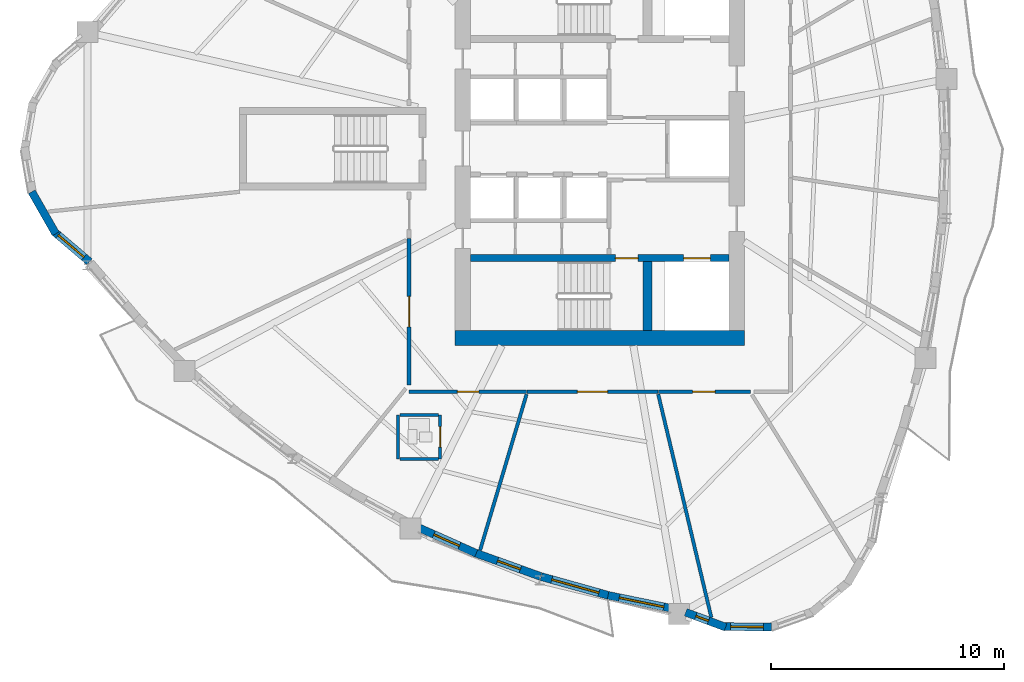
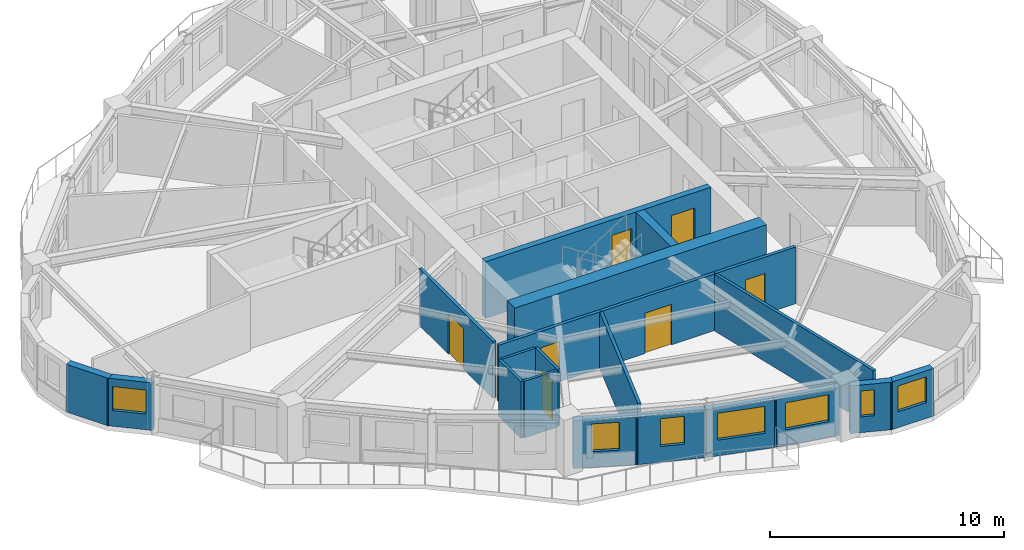
# One storey, part 3 of 12: 21 walls, 7 doors, 7 windows, 14 openings.
"""IFC4 building model written with IfcOpenShell, lengths in metres."""

from ifc_helpers import new_model, si_unit, direction, frame, frame_2d, origin, place, context, subcontext, project, spatial, rectangle, extrude, source, transform, mapped, material, layer, layer_set, type_object, element, fill, save


model = new_model("IFC4")

# Units and contexts
model_context = context("Model", 3, precision=1e-05, world=origin(), true_north=direction((0.0, 1.0)))
body_context = subcontext(model_context, "Body", "Model", "MODEL_VIEW")
ifc_project = project(units=[si_unit("LENGTHUNIT", "METRE"), si_unit("AREAUNIT", "SQUARE_METRE"), si_unit("VOLUMEUNIT", "CUBIC_METRE"), si_unit("PLANEANGLEUNIT", "RADIAN"), si_unit("MASSUNIT", "GRAM", prefix="KILO")], contexts=[model_context])

# Site, building, storey
site_placement = place(None, origin())
site = spatial("IfcSite", under=ifc_project, at=site_placement, CompositionType="ELEMENT")
building_placement = place(site_placement, origin())
building = spatial("IfcBuilding", under=site, at=building_placement, Name="Qafzar Sky-Pleat Residences", CompositionType="ELEMENT")
storey_placement = place(building_placement, frame((0.0, 0.0, 92.800048828125)))
storey = spatial("IfcBuildingStorey", under=building, at=storey_placement, Name="L27", CompositionType="ELEMENT", Elevation=92.800048828125)

# Wall, opening, door
ifc_material_1 = material(Name="Acoustic gypsum plasterboard partition", Category="gypsum")
ifc_layer_1 = layer(ifc_material_1, 0.159912109375)
ifc_layer_set_1 = layer_set([ifc_layer_1], Name="Acoustic gypsum plasterboard partition")
wall_type_1 = type_object("IfcWallType", Name="PART-COR-160", PredefinedType="PARTITIONING", material=ifc_layer_set_1)
wall_1_placement = place(storey_placement, frame((22.169921875, 15.862060546875, 0.0), z_axis=(0.0, 0.0, 1.0), x_axis=(0.0, 1.0, 0.0)))
wall_1 = element("IfcWall", 1, at=wall_1_placement, inside=storey, type_object=wall_type_1, Name="L27 Partition Wall PART-L27-PW-001", PredefinedType="PARTITIONING", context=body_context, shape_type="SweptSolid", body=[
    extrude(rectangle(XDim=6.286865234375, YDim=0.159912109375, at=frame_2d((3.1435546875, 0.0))), origin(), (0.0, 0.0, 1.0), 2.949951171875),
])
opening_1_placement = place(wall_1_placement, frame((2.49755859375, 0.0, 0.0)))
opening_1 = element("IfcOpeningElement", 2, at=opening_1_placement, cuts=wall_1, Name="Opening ID-05", PredefinedType="OPENING", context=body_context, shape_type="SweptSolid", body=[
    extrude(rectangle(XDim=1.300048828125, YDim=2.10009765625, at=frame_2d((0.64990234375, 1.050048828125))), frame((0.0, 0.08984375, 0.0), z_axis=(0.0, -1.0, 0.0), x_axis=(1.0, 0.0, 0.0)), (0.0, 0.0, 1.0), 0.179931640625),
])
ifc_material_2 = material(Name="Timber-faced fire door", Category="wood")
door_type_1 = type_object("IfcDoorType", Name="DR-LNG-1300", OperationType="DOUBLE_DOOR_SINGLE_SWING", PredefinedType="DOOR", material=ifc_material_2)
shared_shape_1 = source(origin(), body_context, "Body", "SweptSolid", [
    extrude(rectangle(XDim=1.300048828125, YDim=2.10009765625, at=frame_2d((0.64990234375, 1.050048828125))), frame((0.0, 0.02490234375, 0.0), z_axis=(0.0, -1.0, 0.0), x_axis=(1.0, 0.0, 0.0)), (0.0, 0.0, 1.0), 0.050048828125),
])
door_1_placement = place(opening_1_placement, origin())
door_1 = element("IfcDoor", 3, at=door_1_placement, inside=storey, type_object=door_type_1, Name="L27 Graduate Lecture Room Door", OperationType="DOUBLE_DOOR_SINGLE_SWING", OverallHeight=2.10009765625, OverallWidth=1.300048828125, PredefinedType="DOOR", context=body_context, shape_type="MappedRepresentation", body=[
    mapped(shared_shape_1, transform((0.0, 0.0, 0.0), x_axis=(1.0, 0.0, 0.0), y_axis=(0.0, 1.0, 0.0), z_axis=(0.0, 0.0, 1.0), scale=1.0)),
])
fill(opening_1, door_1)

wall_2_placement = place(storey_placement, frame((32.847900390625, 15.570068359375, 0.0), z_axis=(0.0, 0.0, 1.0), x_axis=(-1.0, 0.0, 0.0)))
wall_2 = element("IfcWall", 4, at=wall_2_placement, inside=storey, type_object=wall_type_1, Name="L27 Partition Wall PART-L27-PW-003", PredefinedType="PARTITIONING", context=body_context, shape_type="SweptSolid", body=[
    extrude(rectangle(XDim=5.620849609375, YDim=0.159912109375, at=frame_2d((2.810546875, 0.0))), origin(), (0.0, 0.0, 1.0), 2.949951171875),
])
opening_2_placement = place(wall_2_placement, frame((2.160400390625, 0.0, 0.0)))
opening_2 = element("IfcOpeningElement", 5, at=opening_2_placement, cuts=wall_2, Name="Opening ID-05", PredefinedType="OPENING", context=body_context, shape_type="SweptSolid", body=[
    extrude(rectangle(XDim=1.300048828125, YDim=2.10009765625, at=frame_2d((0.64990234375, 1.050048828125))), frame((0.0, 0.08984375, 0.0), z_axis=(0.0, -1.0, 0.0), x_axis=(1.0, 0.0, 0.0)), (0.0, 0.0, 1.0), 0.179931640625),
])
door_2_placement = place(opening_2_placement, origin())
door_2 = element("IfcDoor", 6, at=door_2_placement, inside=storey, type_object=door_type_1, Name="L27 Tutorial Huddle Room Door", OperationType="DOUBLE_DOOR_SINGLE_SWING", OverallHeight=2.10009765625, OverallWidth=1.300048828125, PredefinedType="DOOR", context=body_context, shape_type="MappedRepresentation", body=[
    mapped(shared_shape_1, transform((0.0, 0.0, 0.0), x_axis=(1.0, 0.0, 0.0), y_axis=(0.0, 1.0, 0.0), z_axis=(0.0, 0.0, 1.0), scale=1.0)),
])
fill(opening_2, door_2)

wall_3_placement = place(storey_placement, frame((27.2119140625, 15.570068359375, 0.0), z_axis=(0.0, 0.0, 1.0), x_axis=(-1.0, 0.0, 0.0)))
wall_3 = element("IfcWall", 7, at=wall_3_placement, inside=storey, type_object=wall_type_1, Name="L27 Partition Wall PART-L27-PW-004", PredefinedType="PARTITIONING", context=body_context, shape_type="SweptSolid", body=[
    extrude(rectangle(XDim=5.0419921875, YDim=0.159912109375, at=frame_2d((2.52099609375, 0.0))), origin(), (0.0, 0.0, 1.0), 2.949951171875),
])
opening_3_placement = place(wall_3_placement, frame((2.0458984375, 0.0, 0.0)))
opening_3 = element("IfcOpeningElement", 8, at=opening_3_placement, cuts=wall_3, Name="Opening ID-04", PredefinedType="OPENING", context=body_context, shape_type="SweptSolid", body=[
    extrude(rectangle(XDim=0.919921875, YDim=2.10009765625, at=frame_2d((0.4599609375, 1.050048828125))), frame((0.0, 0.08984375, 0.0), z_axis=(0.0, -1.0, 0.0), x_axis=(1.0, 0.0, 0.0)), (0.0, 0.0, 1.0), 0.179931640625),
])
door_type_2 = type_object("IfcDoorType", Name="DR-BED-920", OperationType="NOTDEFINED", PredefinedType="DOOR", material=ifc_material_2)
shared_shape_2 = source(origin(), body_context, "Body", "SweptSolid", [
    extrude(rectangle(XDim=0.919921875, YDim=2.10009765625, at=frame_2d((0.4599609375, 1.050048828125))), frame((0.0, 0.02490234375, 0.0), z_axis=(0.0, -1.0, 0.0), x_axis=(1.0, 0.0, 0.0)), (0.0, 0.0, 1.0), 0.050048828125),
])
door_3_placement = place(opening_3_placement, origin())
door_3 = element("IfcDoor", 9, at=door_3_placement, inside=storey, type_object=door_type_2, Name="L27 Co-Living Bedroom 1 Door", OperationType="SINGLE_SWING_LEFT", OverallHeight=2.10009765625, OverallWidth=0.919921875, PredefinedType="DOOR", context=body_context, shape_type="MappedRepresentation", body=[
    mapped(shared_shape_2, transform((0.0, 0.0, 0.0), x_axis=(1.0, 0.0, 0.0), y_axis=(0.0, 1.0, 0.0), z_axis=(0.0, 0.0, 1.0), scale=1.0)),
])
fill(opening_3, door_3)

wall_4_placement = place(storey_placement, frame((36.819091796875, 15.570068359375, 0.0), z_axis=(0.0, 0.0, 1.0), x_axis=(-1.0, 0.0, 0.0)))
wall_4 = element("IfcWall", 10, at=wall_4_placement, inside=storey, type_object=wall_type_1, Name="L27 Partition Wall PART-L27-PW-007", PredefinedType="PARTITIONING", context=body_context, shape_type="SweptSolid", body=[
    extrude(rectangle(XDim=3.9560546875, YDim=0.159912109375, at=frame_2d((1.97802734375, 0.0))), origin(), (0.0, 0.0, 1.0), 2.949951171875),
])
opening_4_placement = place(wall_4_placement, frame((1.52197265625, 0.0, 0.0)))
opening_4 = element("IfcOpeningElement", 11, at=opening_4_placement, cuts=wall_4, Name="Opening ID-06", PredefinedType="OPENING", context=body_context, shape_type="SweptSolid", body=[
    extrude(rectangle(XDim=0.9599609375, YDim=2.10009765625, at=frame_2d((0.47998046875, 1.050048828125))), frame((0.0, 0.08984375, 0.0), z_axis=(0.0, -1.0, 0.0), x_axis=(1.0, 0.0, 0.0)), (0.0, 0.0, 1.0), 0.179931640625),
])
door_type_3 = type_object("IfcDoorType", Name="DR-STD-960", OperationType="NOTDEFINED", PredefinedType="DOOR", material=ifc_material_2)
shared_shape_3 = source(origin(), body_context, "Body", "SweptSolid", [
    extrude(rectangle(XDim=0.9599609375, YDim=2.10009765625, at=frame_2d((0.47998046875, 1.050048828125))), frame((0.0, 0.02490234375, 0.0), z_axis=(0.0, -1.0, 0.0), x_axis=(1.0, 0.0, 0.0)), (0.0, 0.0, 1.0), 0.050048828125),
])
door_4_placement = place(opening_4_placement, origin())
door_4 = element("IfcDoor", 12, at=door_4_placement, inside=storey, type_object=door_type_3, Name="L27 Scholar Co-Working Workspace Door", OperationType="SINGLE_SWING_LEFT", OverallHeight=2.10009765625, OverallWidth=0.9599609375, PredefinedType="DOOR", context=body_context, shape_type="MappedRepresentation", body=[
    mapped(shared_shape_3, transform((0.0, 0.0, 0.0), x_axis=(1.0, 0.0, 0.0), y_axis=(0.0, 1.0, 0.0), z_axis=(0.0, 0.0, 1.0), scale=1.0)),
])
fill(opening_4, door_4)

# Walls
ifc_layer_2 = layer(ifc_material_1, 0.14501953125)
ifc_layer_set_2 = layer_set([ifc_layer_2], Name="Acoustic gypsum plasterboard partition")
wall_type_2 = type_object("IfcWallType", Name="PART-UNIT-145", PredefinedType="PARTITIONING", material=ifc_layer_set_2)
wall_5_placement = place(storey_placement, frame((32.85791015625, 15.46533203125, 0.0), z_axis=(0.0, 0.0, 1.0), x_axis=(0.231516552249, -0.97283096478, 0.0)))
element("IfcWall", 13, at=wall_5_placement, inside=storey, type_object=wall_type_2, Name="L27 Partition Wall PART-L27-PW-024", PredefinedType="PARTITIONING", context=body_context, shape_type="SweptSolid", body=[
    extrude(rectangle(XDim=9.8408203125, YDim=0.14501953125, at=frame_2d((4.92041015625, 0.0))), origin(), (0.0, 0.0, 1.0), 2.949951171875),
])
wall_6_placement = place(storey_placement, frame((25.21728515625, 8.774169921875, 0.0), z_axis=(0.0, 0.0, 1.0), x_axis=(0.28553060174, 0.958369592313, 0.0)))
element("IfcWall", 14, at=wall_6_placement, inside=storey, type_object=wall_type_2, Name="L27 Partition Wall PART-L27-PW-030", PredefinedType="PARTITIONING", context=body_context, shape_type="SweptSolid", body=[
    extrude(rectangle(XDim=6.97802734375, YDim=0.14501953125, at=frame_2d((3.489013671875, 0.0))), origin(), (0.0, 0.0, 1.0), 2.949951171875),
])

# Wall, opening, door
ifc_material_3 = material(Name="Moisture-resistant gypsum partition", Category="gypsum")
ifc_layer_3 = layer(ifc_material_3, 0.1298828125)
ifc_layer_set_3 = layer_set([ifc_layer_3], Name="Moisture-resistant gypsum partition")
wall_type_3 = type_object("IfcWallType", Name="PART-WET-130", PredefinedType="PARTITIONING", material=ifc_layer_set_3)
wall_7_placement = place(storey_placement, frame((23.5029296875, 12.68310546875, 0.0), z_axis=(0.0, 0.0, 1.0), x_axis=(0.0, 1.0, 0.0)))
wall_7 = element("IfcWall", 15, at=wall_7_placement, inside=storey, type_object=wall_type_3, Name="L27 Partition Wall PART-L27-PW-015", PredefinedType="PARTITIONING", context=body_context, shape_type="SweptSolid", body=[
    extrude(rectangle(XDim=1.89990234375, YDim=0.1298828125, at=frame_2d((0.949951171875, 0.0))), origin(), (0.0, 0.0, 1.0), 2.949951171875),
])
opening_5_placement = place(wall_7_placement, frame((0.510009765625, 0.0, 0.0)))
opening_5 = element("IfcOpeningElement", 16, at=opening_5_placement, cuts=wall_7, Name="Opening ID-07", PredefinedType="OPENING", context=body_context, shape_type="SweptSolid", body=[
    extrude(rectangle(XDim=0.8798828125, YDim=2.050048828125, at=frame_2d((0.43994140625, 1.02490234375))), frame((0.0, 0.074951171875, 0.0), z_axis=(0.0, -1.0, 0.0), x_axis=(1.0, 0.0, 0.0)), (0.0, 0.0, 1.0), 0.14990234375),
])
door_type_4 = type_object("IfcDoorType", Name="DR-WET-880", OperationType="NOTDEFINED", PredefinedType="DOOR", material=ifc_material_2)
shared_shape_4 = source(origin(), body_context, "Body", "SweptSolid", [
    extrude(rectangle(XDim=0.8798828125, YDim=2.050048828125, at=frame_2d((0.43994140625, 1.02490234375))), frame((0.0, 0.02490234375, 0.0), z_axis=(0.0, -1.0, 0.0), x_axis=(1.0, 0.0, 0.0)), (0.0, 0.0, 1.0), 0.050048828125),
])
door_5_placement = place(opening_5_placement, origin())
door_5 = element("IfcDoor", 17, at=door_5_placement, inside=storey, type_object=door_type_4, Name="L27 En-suite Bathroom 1 Door", OperationType="SINGLE_SWING_LEFT", OverallHeight=2.050048828125, OverallWidth=0.8798828125, PredefinedType="DOOR", context=body_context, shape_type="MappedRepresentation", body=[
    mapped(shared_shape_4, transform((0.0, 0.0, 0.0), x_axis=(1.0, 0.0, 0.0), y_axis=(0.0, 1.0, 0.0), z_axis=(0.0, 0.0, 1.0), scale=1.0)),
])
fill(opening_5, door_5)

# Walls
wall_8_placement = place(storey_placement, frame((21.702880859375, 12.68310546875, 0.0), z_axis=(0.0, 0.0, 1.0), x_axis=(0.0, 1.0, 0.0)))
element("IfcWall", 18, at=wall_8_placement, inside=storey, type_object=wall_type_3, Name="L27 Partition Wall PART-L27-PW-042", PredefinedType="PARTITIONING", context=body_context, shape_type="SweptSolid", body=[
    extrude(rectangle(XDim=1.89990234375, YDim=0.1298828125, at=frame_2d((0.949951171875, 0.0))), origin(), (0.0, 0.0, 1.0), 2.949951171875),
])
for number, where, z_axis, x_axis, name in (
    (19, (21.77587890625, 14.5830078125, 0.0), (0.0, 0.0, 1.0), (1.0, 0.0, 0.0), "L27 Partition Wall PART-L27-PW-046"),
    (20, (21.77587890625, 12.68310546875, 0.0), (0.0, 0.0, 1.0), (1.0, 0.0, 0.0), "L27 Partition Wall PART-L27-PW-047"),
):
    element("IfcWall", number, at=place(storey_placement, frame(where, z_axis=z_axis, x_axis=x_axis)), inside=storey, type_object=wall_type_3, Name=name, PredefinedType="PARTITIONING", context=body_context, shape_type="SweptSolid", body=[
        extrude(rectangle(XDim=1.654052734375, YDim=0.1298828125, at=frame_2d((0.8271484375, 0.0))), origin(), (0.0, 0.0, 1.0), 2.949951171875),
    ])
ifc_material_4 = material(Name="Precast concrete C40/50 with honed Riyadh limestone", Category="concrete")
ifc_layer_4 = layer(ifc_material_4, 0.340087890625)
ifc_layer_set_4 = layer_set([ifc_layer_4], Name="Precast concrete C40/50 with honed Riyadh limestone")
wall_type_4 = type_object("IfcWallType", Name="WALL-EXT-340", PredefinedType="SOLIDWALL", material=ifc_layer_set_4)
wall_9_placement = place(storey_placement, frame((5.983154296875, 24.150146484375, 0.0), z_axis=(0.0, 0.0, 1.0), x_axis=(0.496037473582, -0.868301114132, 0.0)))
element("IfcWall", 21, at=wall_9_placement, inside=storey, type_object=wall_type_4, Name="L27 Limestone Facade Wall 5", PredefinedType="SOLIDWALL", context=body_context, shape_type="SweptSolid", body=[
    extrude(rectangle(XDim=2.072998046875, YDim=0.340087890625, at=frame_2d((1.03662109375, 0.0))), origin(), (0.0, 0.0, 1.0), 2.47998046875),
])

# Wall, opening, window
wall_10_placement = place(storey_placement, frame((6.92626953125, 22.452880859375, 0.0), z_axis=(0.0, 0.0, 1.0), x_axis=(0.76114353683, -0.648583469063, 0.0)))
wall_10 = element("IfcWall", 22, at=wall_10_placement, inside=storey, type_object=wall_type_4, Name="L27 Limestone Facade Wall 6", PredefinedType="SOLIDWALL", context=body_context, shape_type="SweptSolid", body=[
    extrude(rectangle(XDim=2.014892578125, YDim=0.340087890625, at=frame_2d((1.00732421875, 0.0))), origin(), (0.0, 0.0, 1.0), 2.47998046875),
])
opening_6_placement = place(wall_10_placement, frame((0.25244140625, 0.0, 0.820068359375)))
opening_6 = element("IfcOpeningElement", 23, at=opening_6_placement, cuts=wall_10, Name="Opening WN-15", PredefinedType="OPENING", context=body_context, shape_type="SweptSolid", body=[
    extrude(rectangle(XDim=1.449951171875, YDim=1.25, at=frame_2d((0.72509765625, 0.625))), frame((0.0, 0.18017578125, 0.0), z_axis=(0.0, -1.0, 0.0), x_axis=(1.0, 0.0, 0.0)), (0.0, 0.0, 1.0), 0.360107421875),
])
ifc_material_5 = material(Name="Solar-control low-E glass in bronze aluminium frame", Category="glass")
window_type_1 = type_object("IfcWindowType", Name="WIN-15", PartitioningType="SINGLE_PANEL", PredefinedType="WINDOW", material=ifc_material_5)
shared_shape_5 = source(origin(), body_context, "Body", "SweptSolid", [
    extrude(rectangle(XDim=1.449951171875, YDim=1.25, at=frame_2d((0.72509765625, 0.625))), frame((0.0, 0.030029296875, 0.0), z_axis=(0.0, -1.0, 0.0), x_axis=(1.0, 0.0, 0.0)), (0.0, 0.0, 1.0), 0.06005859375),
])
window_1_placement = place(opening_6_placement, origin())
window_1 = element("IfcWindow", 24, at=window_1_placement, inside=storey, type_object=window_type_1, Name="L27 Punched Facade Window 06", OverallHeight=1.25, OverallWidth=1.449951171875, PartitioningType="SINGLE_PANEL", PredefinedType="WINDOW", context=body_context, shape_type="MappedRepresentation", body=[
    mapped(shared_shape_5, transform((0.0, 0.0, 0.0), x_axis=(1.0, 0.0, 0.0), y_axis=(0.0, 1.0, 0.0), z_axis=(0.0, 0.0, 1.0), scale=1.0)),
])
fill(opening_6, window_1)

wall_11_placement = place(storey_placement, frame((22.515625, 9.7666015625, 0.0), z_axis=(0.0, 0.0, 1.0), x_axis=(0.9134265589, -0.407003589046, 0.0)))
wall_11 = element("IfcWall", 25, at=wall_11_placement, inside=storey, type_object=wall_type_4, Name="L27 Limestone Facade Wall 13", PredefinedType="SOLIDWALL", context=body_context, shape_type="SweptSolid", body=[
    extrude(rectangle(XDim=2.77490234375, YDim=0.340087890625, at=frame_2d((1.387451171875, 0.0))), origin(), (0.0, 0.0, 1.0), 2.47998046875),
])
opening_7_placement = place(wall_11_placement, frame((0.782470703125, 0.0, 0.820068359375)))
opening_7 = element("IfcOpeningElement", 26, at=opening_7_placement, cuts=wall_11, Name="Opening WN-05", PredefinedType="OPENING", context=body_context, shape_type="SweptSolid", body=[
    extrude(rectangle(XDim=1.199951171875, YDim=1.449951171875, at=frame_2d((0.60009765625, 0.72509765625))), frame((0.0, 0.18017578125, 0.0), z_axis=(0.0, -1.0, 0.0), x_axis=(1.0, 0.0, 0.0)), (0.0, 0.0, 1.0), 0.360107421875),
])
window_type_2 = type_object("IfcWindowType", Name="WIN-05", PartitioningType="SINGLE_PANEL", PredefinedType="WINDOW", material=ifc_material_5)
shared_shape_6 = source(origin(), body_context, "Body", "SweptSolid", [
    extrude(rectangle(XDim=1.199951171875, YDim=1.449951171875, at=frame_2d((0.60009765625, 0.72509765625))), frame((0.0, 0.030029296875, 0.0), z_axis=(0.0, -1.0, 0.0), x_axis=(1.0, 0.0, 0.0)), (0.0, 0.0, 1.0), 0.06005859375),
])
window_2_placement = place(opening_7_placement, origin())
window_2 = element("IfcWindow", 27, at=window_2_placement, inside=storey, type_object=window_type_2, Name="L27 Punched Facade Window 13", OverallHeight=1.449951171875, OverallWidth=1.199951171875, PartitioningType="SINGLE_PANEL", PredefinedType="WINDOW", context=body_context, shape_type="MappedRepresentation", body=[
    mapped(shared_shape_6, transform((0.0, 0.0, 0.0), x_axis=(1.0, 0.0, 0.0), y_axis=(0.0, 1.0, 0.0), z_axis=(0.0, 0.0, 1.0), scale=1.0)),
])
fill(opening_7, window_2)

wall_12_placement = place(storey_placement, frame((24.968017578125, 8.670166015625, 0.0), z_axis=(0.0, 0.0, 1.0), x_axis=(0.941101658803, -0.33812374628, 0.0)))
wall_12 = element("IfcWall", 28, at=wall_12_placement, inside=storey, type_object=wall_type_4, Name="L27 Limestone Facade Wall 14", PredefinedType="SOLIDWALL", context=body_context, shape_type="SweptSolid", body=[
    extrude(rectangle(XDim=3.018798828125, YDim=0.340087890625, at=frame_2d((1.50927734375, 0.0))), origin(), (0.0, 0.0, 1.0), 2.47998046875),
])
opening_8_placement = place(wall_12_placement, frame((1.0546875, 0.0, 0.820068359375)))
opening_8 = element("IfcOpeningElement", 29, at=opening_8_placement, cuts=wall_12, Name="Opening WN-06", PredefinedType="OPENING", context=body_context, shape_type="SweptSolid", body=[
    extrude(rectangle(XDim=1.050048828125, YDim=1.449951171875, at=frame_2d((0.52490234375, 0.72509765625))), frame((0.0, 0.18017578125, 0.0), z_axis=(0.0, -1.0, 0.0), x_axis=(1.0, 0.0, 0.0)), (0.0, 0.0, 1.0), 0.360107421875),
])
window_type_3 = type_object("IfcWindowType", Name="WIN-06", PartitioningType="SINGLE_PANEL", PredefinedType="WINDOW", material=ifc_material_5)
shared_shape_7 = source(origin(), body_context, "Body", "SweptSolid", [
    extrude(rectangle(XDim=1.050048828125, YDim=1.449951171875, at=frame_2d((0.52490234375, 0.72509765625))), frame((0.0, 0.030029296875, 0.0), z_axis=(0.0, -1.0, 0.0), x_axis=(1.0, 0.0, 0.0)), (0.0, 0.0, 1.0), 0.06005859375),
])
window_3_placement = place(opening_8_placement, origin())
window_3 = element("IfcWindow", 30, at=window_3_placement, inside=storey, type_object=window_type_3, Name="L27 Punched Facade Window 14", OverallHeight=1.449951171875, OverallWidth=1.050048828125, PartitioningType="SINGLE_PANEL", PredefinedType="WINDOW", context=body_context, shape_type="MappedRepresentation", body=[
    mapped(shared_shape_7, transform((0.0, 0.0, 0.0), x_axis=(1.0, 0.0, 0.0), y_axis=(0.0, 1.0, 0.0), z_axis=(0.0, 0.0, 1.0), scale=1.0)),
])
fill(opening_8, window_3)

wall_13_placement = place(storey_placement, frame((27.835205078125, 7.64111328125, 0.0), z_axis=(0.0, 0.0, 1.0), x_axis=(0.963049084537, -0.269325937802, 0.0)))
wall_13 = element("IfcWall", 31, at=wall_13_placement, inside=storey, type_object=wall_type_4, Name="L27 Limestone Facade Wall 15", PredefinedType="SOLIDWALL", context=body_context, shape_type="SweptSolid", body=[
    extrude(rectangle(XDim=3.068359375, YDim=0.340087890625, at=frame_2d((1.5341796875, 0.0))), origin(), (0.0, 0.0, 1.0), 2.47998046875),
])
opening_9_placement = place(wall_13_placement, frame((0.47412109375, 0.0, 0.820068359375)))
opening_9 = element("IfcOpeningElement", 32, at=opening_9_placement, cuts=wall_13, Name="Opening WN-07", PredefinedType="OPENING", context=body_context, shape_type="SweptSolid", body=[
    extrude(rectangle(XDim=2.10009765625, YDim=1.39990234375, at=frame_2d((1.050048828125, 0.699951171875))), frame((0.0, 0.18017578125, 0.0), z_axis=(0.0, -1.0, 0.0), x_axis=(1.0, 0.0, 0.0)), (0.0, 0.0, 1.0), 0.360107421875),
])
window_type_4 = type_object("IfcWindowType", Name="WIN-07", PartitioningType="DOUBLE_PANEL_VERTICAL", PredefinedType="WINDOW", material=ifc_material_5)
shared_shape_8 = source(origin(), body_context, "Body", "SweptSolid", [
    extrude(rectangle(XDim=2.10009765625, YDim=1.39990234375, at=frame_2d((1.050048828125, 0.699951171875))), frame((0.0, 0.030029296875, 0.0), z_axis=(0.0, -1.0, 0.0), x_axis=(1.0, 0.0, 0.0)), (0.0, 0.0, 1.0), 0.06005859375),
])
window_4_placement = place(opening_9_placement, origin())
window_4 = element("IfcWindow", 33, at=window_4_placement, inside=storey, type_object=window_type_4, Name="L27 Punched Facade Window 15", OverallHeight=1.39990234375, OverallWidth=2.10009765625, PartitioningType="SINGLE_PANEL", PredefinedType="WINDOW", context=body_context, shape_type="MappedRepresentation", body=[
    mapped(shared_shape_8, transform((0.0, 0.0, 0.0), x_axis=(1.0, 0.0, 0.0), y_axis=(0.0, 1.0, 0.0), z_axis=(0.0, 0.0, 1.0), scale=1.0)),
])
fill(opening_9, window_4)

wall_14_placement = place(storey_placement, frame((30.705078125, 6.835205078125, 0.0), z_axis=(0.0, 0.0, 1.0), x_axis=(0.979433750273, -0.201766024954, 0.0)))
wall_14 = element("IfcWall", 34, at=wall_14_placement, inside=storey, type_object=wall_type_4, Name="L27 Limestone Facade Wall 16", PredefinedType="SOLIDWALL", context=body_context, shape_type="SweptSolid", body=[
    extrude(rectangle(XDim=2.92333984375, YDim=0.340087890625, at=frame_2d((1.461669921875, 0.0))), origin(), (0.0, 0.0, 1.0), 2.47998046875),
])
opening_10_placement = place(wall_14_placement, frame((0.49169921875, 0.0, 0.820068359375)))
opening_10 = element("IfcOpeningElement", 35, at=opening_10_placement, cuts=wall_14, Name="Opening WN-08", PredefinedType="OPENING", context=body_context, shape_type="SweptSolid", body=[
    extrude(rectangle(XDim=1.949951171875, YDim=1.39990234375, at=frame_2d((0.97509765625, 0.699951171875))), frame((0.0, 0.18017578125, 0.0), z_axis=(0.0, -1.0, 0.0), x_axis=(1.0, 0.0, 0.0)), (0.0, 0.0, 1.0), 0.360107421875),
])
window_type_5 = type_object("IfcWindowType", Name="WIN-08", PartitioningType="DOUBLE_PANEL_VERTICAL", PredefinedType="WINDOW", material=ifc_material_5)
shared_shape_9 = source(origin(), body_context, "Body", "SweptSolid", [
    extrude(rectangle(XDim=1.949951171875, YDim=1.39990234375, at=frame_2d((0.97509765625, 0.699951171875))), frame((0.0, 0.030029296875, 0.0), z_axis=(0.0, -1.0, 0.0), x_axis=(1.0, 0.0, 0.0)), (0.0, 0.0, 1.0), 0.06005859375),
])
window_5_placement = place(opening_10_placement, origin())
window_5 = element("IfcWindow", 36, at=window_5_placement, inside=storey, type_object=window_type_5, Name="L27 Punched Facade Window 16", OverallHeight=1.39990234375, OverallWidth=1.949951171875, PartitioningType="SINGLE_PANEL", PredefinedType="WINDOW", context=body_context, shape_type="MappedRepresentation", body=[
    mapped(shared_shape_9, transform((0.0, 0.0, 0.0), x_axis=(1.0, 0.0, 0.0), y_axis=(0.0, 1.0, 0.0), z_axis=(0.0, 0.0, 1.0), scale=1.0)),
])
fill(opening_10, window_5)

wall_15_placement = place(storey_placement, frame((34.0341796875, 6.111328125, 0.0), z_axis=(0.0, 0.0, 1.0), x_axis=(0.936815884802, -0.349822809409, 0.0)))
wall_15 = element("IfcWall", 37, at=wall_15_placement, inside=storey, type_object=wall_type_4, Name="L27 Limestone Facade Wall 17", PredefinedType="SOLIDWALL", context=body_context, shape_type="SweptSolid", body=[
    extrude(rectangle(XDim=1.831298828125, YDim=0.340087890625, at=frame_2d((0.91552734375, 0.0))), origin(), (0.0, 0.0, 1.0), 2.47998046875),
])
opening_11_placement = place(wall_15_placement, frame((0.46630859375, 0.0, 0.820068359375)))
opening_11 = element("IfcOpeningElement", 38, at=opening_11_placement, cuts=wall_15, Name="Opening WN-17", PredefinedType="OPENING", context=body_context, shape_type="SweptSolid", body=[
    extrude(rectangle(XDim=0.580078125, YDim=1.35009765625, at=frame_2d((0.2900390625, 0.675048828125))), frame((0.0, 0.18017578125, 0.0), z_axis=(0.0, -1.0, 0.0), x_axis=(1.0, 0.0, 0.0)), (0.0, 0.0, 1.0), 0.360107421875),
])
window_type_6 = type_object("IfcWindowType", Name="WIN-17", PartitioningType="SINGLE_PANEL", PredefinedType="WINDOW", material=ifc_material_5)
shared_shape_10 = source(origin(), body_context, "Body", "SweptSolid", [
    extrude(rectangle(XDim=0.580078125, YDim=1.35009765625, at=frame_2d((0.2900390625, 0.675048828125))), frame((0.0, 0.030029296875, 0.0), z_axis=(0.0, -1.0, 0.0), x_axis=(1.0, 0.0, 0.0)), (0.0, 0.0, 1.0), 0.06005859375),
])
window_6_placement = place(opening_11_placement, origin())
window_6 = element("IfcWindow", 39, at=window_6_placement, inside=storey, type_object=window_type_6, Name="L27 Punched Facade Window 17", OverallHeight=1.35009765625, OverallWidth=0.580078125, PartitioningType="SINGLE_PANEL", PredefinedType="WINDOW", context=body_context, shape_type="MappedRepresentation", body=[
    mapped(shared_shape_10, transform((0.0, 0.0, 0.0), x_axis=(1.0, 0.0, 0.0), y_axis=(0.0, 1.0, 0.0), z_axis=(0.0, 0.0, 1.0), scale=1.0)),
])
fill(opening_11, window_6)

wall_16_placement = place(storey_placement, frame((35.617919921875, 5.4951171875, 0.0), z_axis=(0.0, 0.0, 1.0), x_axis=(0.999976451414, -0.006862697526, 0.0)))
wall_16 = element("IfcWall", 40, at=wall_16_placement, inside=storey, type_object=wall_type_4, Name="L27 Limestone Facade Wall 18", PredefinedType="SOLIDWALL", context=body_context, shape_type="SweptSolid", body=[
    extrude(rectangle(XDim=2.098876953125, YDim=0.340087890625, at=frame_2d((1.04931640625, 0.0))), origin(), (0.0, 0.0, 1.0), 2.47998046875),
])
opening_12_placement = place(wall_16_placement, frame((0.349609375, 0.0, 0.820068359375)))
opening_12 = element("IfcOpeningElement", 41, at=opening_12_placement, cuts=wall_16, Name="Opening WN-10", PredefinedType="OPENING", context=body_context, shape_type="SweptSolid", body=[
    extrude(rectangle(XDim=1.39990234375, YDim=1.35009765625, at=frame_2d((0.699951171875, 0.675048828125))), frame((0.0, 0.18017578125, 0.0), z_axis=(0.0, -1.0, 0.0), x_axis=(1.0, 0.0, 0.0)), (0.0, 0.0, 1.0), 0.360107421875),
])
window_type_7 = type_object("IfcWindowType", Name="WIN-10", PartitioningType="SINGLE_PANEL", PredefinedType="WINDOW", material=ifc_material_5)
shared_shape_11 = source(origin(), body_context, "Body", "SweptSolid", [
    extrude(rectangle(XDim=1.39990234375, YDim=1.35009765625, at=frame_2d((0.699951171875, 0.675048828125))), frame((0.0, 0.030029296875, 0.0), z_axis=(0.0, -1.0, 0.0), x_axis=(1.0, 0.0, 0.0)), (0.0, 0.0, 1.0), 0.06005859375),
])
window_7_placement = place(opening_12_placement, origin())
window_7 = element("IfcWindow", 42, at=window_7_placement, inside=storey, type_object=window_type_7, Name="L27 Punched Facade Window 18", OverallHeight=1.35009765625, OverallWidth=1.39990234375, PartitioningType="SINGLE_PANEL", PredefinedType="WINDOW", context=body_context, shape_type="MappedRepresentation", body=[
    mapped(shared_shape_11, transform((0.0, 0.0, 0.0), x_axis=(1.0, 0.0, 0.0), y_axis=(0.0, 1.0, 0.0), z_axis=(0.0, 0.0, 1.0), scale=1.0)),
])
fill(opening_12, window_7)

# Wall, openings, doors
ifc_material_6 = material(Name="Concrete C60/75", Category="concrete")
ifc_layer_5 = layer(ifc_material_6, 0.300048828125)
ifc_layer_set_5 = layer_set([ifc_layer_5], Name="Concrete C60/75")
wall_type_5 = type_object("IfcWallType", Name="WALL-SHEAR-300", PredefinedType="SHEAR", material=ifc_layer_set_5)
wall_17_placement = place(storey_placement, frame((24.800048828125, 21.300048828125, 0.0), z_axis=(0.0, 0.0, 1.0), x_axis=(1.0, 0.0, 0.0)))
wall_17 = element("IfcWall", 43, at=wall_17_placement, inside=storey, type_object=wall_type_5, Name="L27 Stair ST1 and FF1 Shaft North Wall", PredefinedType="SHEAR", context=body_context, shape_type="SweptSolid", body=[
    extrude(rectangle(XDim=11.099853515625, YDim=0.300048828125, at=frame_2d((5.5498046875, 0.0))), origin(), (0.0, 0.0, 1.0), 2.949951171875),
])
opening_13_placement = place(wall_17_placement, frame((6.219970703125, 0.0, 0.0)))
opening_13 = element("IfcOpeningElement", 44, at=opening_13_placement, cuts=wall_17, Name="Opening ID-01", PredefinedType="OPENING", context=body_context, shape_type="SweptSolid", body=[
    extrude(rectangle(XDim=0.97998046875, YDim=2.14990234375, at=frame_2d((0.489990234375, 1.074951171875))), frame((0.0, 0.16015625, 0.0), z_axis=(0.0, -1.0, 0.0), x_axis=(1.0, 0.0, 0.0)), (0.0, 0.0, 1.0), 0.320068359375),
])
opening_14_placement = place(wall_17_placement, frame((9.14990234375, 0.0, 0.0)))
opening_14 = element("IfcOpeningElement", 45, at=opening_14_placement, cuts=wall_17, Name="Opening LD-02", PredefinedType="OPENING", context=body_context, shape_type="SweptSolid", body=[
    extrude(rectangle(XDim=1.14990234375, YDim=2.14990234375, at=frame_2d((0.574951171875, 1.074951171875))), frame((0.0, 0.16015625, 0.0), z_axis=(0.0, -1.0, 0.0), x_axis=(1.0, 0.0, 0.0)), (0.0, 0.0, 1.0), 0.320068359375),
])
door_type_5 = type_object("IfcDoorType", Name="DR-STAIR-980", OperationType="NOTDEFINED", PredefinedType="DOOR", material=ifc_material_2)
shared_shape_12 = source(origin(), body_context, "Body", "SweptSolid", [
    extrude(rectangle(XDim=0.97998046875, YDim=2.14990234375, at=frame_2d((0.489990234375, 1.074951171875))), frame((0.0, 0.02490234375, 0.0), z_axis=(0.0, -1.0, 0.0), x_axis=(1.0, 0.0, 0.0)), (0.0, 0.0, 1.0), 0.050048828125),
])
door_6_placement = place(opening_13_placement, origin())
door_6 = element("IfcDoor", 46, at=door_6_placement, inside=storey, type_object=door_type_5, Name="L27 Stair ST1 Fire Door", OperationType="SINGLE_SWING_LEFT", OverallHeight=2.14990234375, OverallWidth=0.97998046875, PredefinedType="DOOR", context=body_context, shape_type="MappedRepresentation", body=[
    mapped(shared_shape_12, transform((0.0, 0.0, 0.0), x_axis=(1.0, 0.0, 0.0), y_axis=(0.0, 1.0, 0.0), z_axis=(0.0, 0.0, 1.0), scale=1.0)),
])
fill(opening_13, door_6)
ifc_material_7 = material(Name="Stainless steel sliding landing door", Category="steel")
door_type_6 = type_object("IfcDoorType", Name="DR-LIFT-FF", OperationType="DOUBLE_DOOR_SLIDING", PredefinedType="DOOR", material=ifc_material_7)
shared_shape_13 = source(origin(), body_context, "Body", "SweptSolid", [
    extrude(rectangle(XDim=1.14990234375, YDim=2.14990234375, at=frame_2d((0.574951171875, 1.074951171875))), frame((0.0, 0.02490234375, 0.0), z_axis=(0.0, -1.0, 0.0), x_axis=(1.0, 0.0, 0.0)), (0.0, 0.0, 1.0), 0.050048828125),
])
door_7_placement = place(opening_14_placement, origin())
door_7 = element("IfcDoor", 47, at=door_7_placement, inside=storey, type_object=door_type_6, Name="L27 Firefighting Lift FF1 Landing Door", OperationType="DOUBLE_DOOR_SLIDING", OverallHeight=2.14990234375, OverallWidth=1.14990234375, PredefinedType="DOOR", context=body_context, shape_type="MappedRepresentation", body=[
    mapped(shared_shape_13, transform((0.0, 0.0, 0.0), x_axis=(1.0, 0.0, 0.0), y_axis=(0.0, 1.0, 0.0), z_axis=(0.0, 0.0, 1.0), scale=1.0)),
])
fill(opening_14, door_7)

# Walls
ifc_layer_6 = layer(ifc_material_6, 0.39990234375)
ifc_layer_set_6 = layer_set([ifc_layer_6], Name="Concrete C60/75")
wall_type_6 = type_object("IfcWallType", Name="WALL-SHEAR-400", PredefinedType="SHEAR", material=ifc_layer_set_6)
wall_18_placement = place(storey_placement, frame((32.39990234375, 18.199951171875, 0.0), z_axis=(0.0, 0.0, 1.0), x_axis=(0.0, 1.0, 0.0)))
element("IfcWall", 48, at=wall_18_placement, inside=storey, type_object=wall_type_6, Name="L27 Stair ST1 East Dividing Wall", PredefinedType="SHEAR", context=body_context, shape_type="SweptSolid", body=[
    extrude(rectangle(XDim=2.949951171875, YDim=0.39990234375, at=frame_2d((1.47509765625, 0.0))), origin(), (0.0, 0.0, 1.0), 2.949951171875),
])
ifc_layer_7 = layer(ifc_material_6, 0.64990234375)
ifc_layer_set_7 = layer_set([ifc_layer_7], Name="Concrete C60/75")
wall_type_7 = type_object("IfcWallType", Name="WALL-SHEAR-650", PredefinedType="SHEAR", material=ifc_layer_set_7)
wall_19_placement = place(storey_placement, frame((24.14990234375, 17.875, 0.0), z_axis=(0.0, 0.0, 1.0), x_axis=(1.0, 0.0, 0.0)))
element("IfcWall", 49, at=wall_19_placement, inside=storey, type_object=wall_type_7, Name="L27 CORE wall S", PredefinedType="SHEAR", context=body_context, shape_type="SweptSolid", body=[
    extrude(rectangle(XDim=12.400146484375, YDim=0.64990234375, at=frame_2d((6.2001953125, 0.0))), origin(), (0.0, 0.0, 1.0), 2.949951171875),
])

save(model, "model.ifc")
